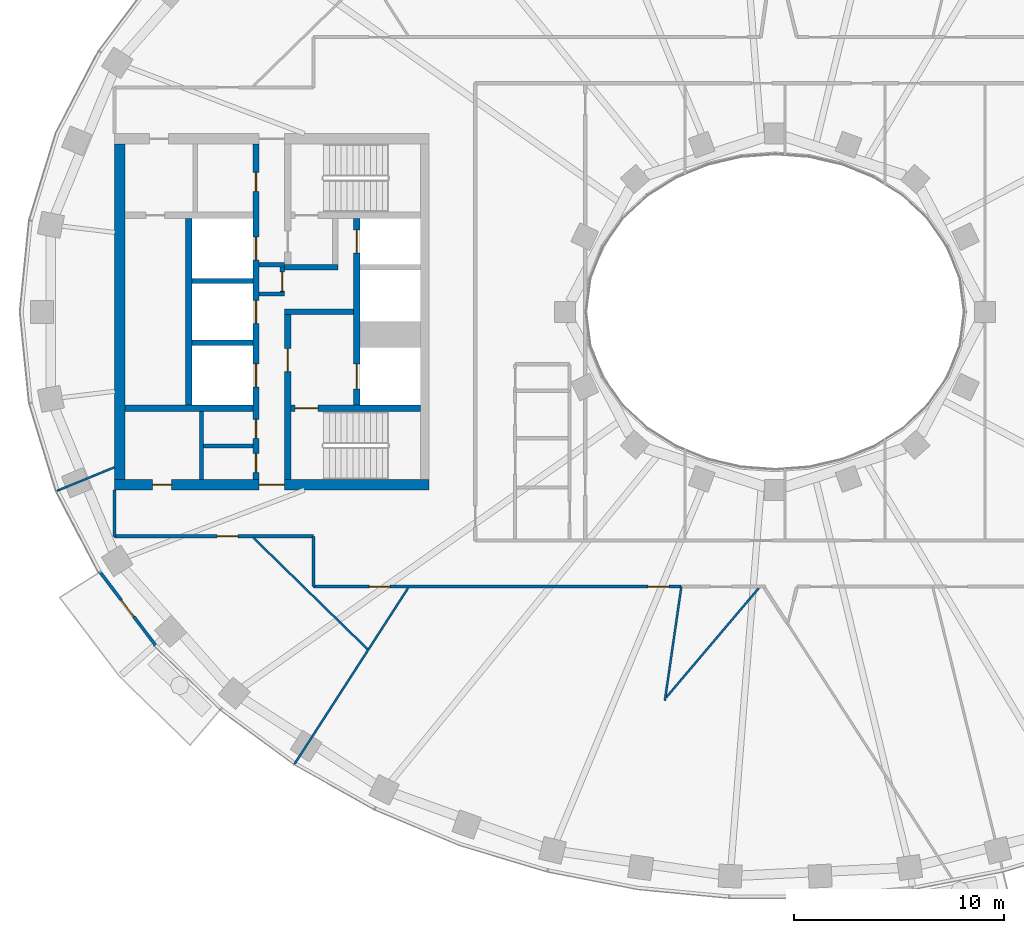
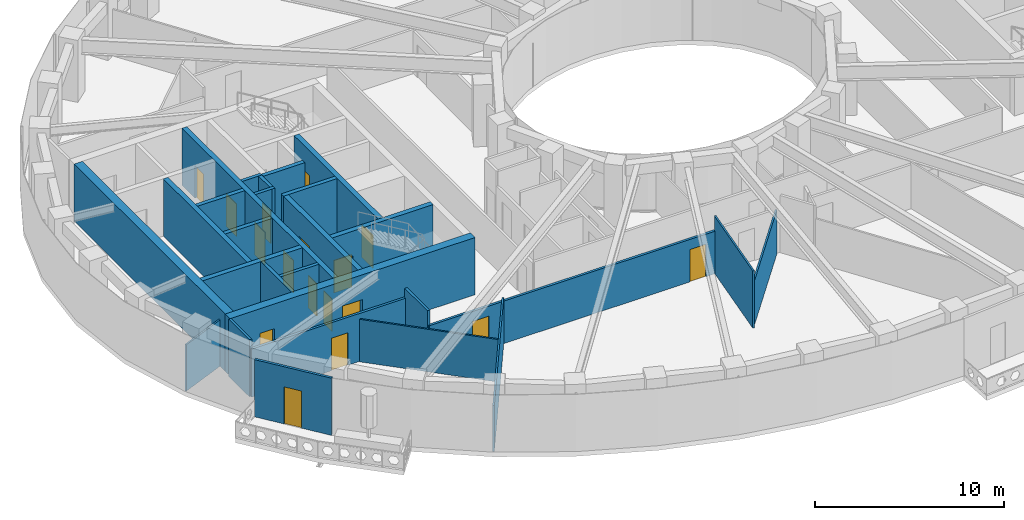
# One storey, part 3 of 16: 27 walls, 17 doors, 17 openings.
"""IFC4 building model written with IfcOpenShell, lengths in metres."""

from ifc_helpers import new_model, si_unit, direction, frame, frame_2d, origin, place, context, subcontext, project, spatial, rectangle, extrude, material, layer, layer_set, type_object, element, fill, save


model = new_model("IFC4")

# Units and contexts
model_context = context("Model", 3, precision=1e-05, world=origin(), true_north=direction((0.0, 1.0)))
body_context = subcontext(model_context, "Body", "Model", "MODEL_VIEW")
ifc_project = project(units=[si_unit("LENGTHUNIT", "METRE"), si_unit("AREAUNIT", "SQUARE_METRE"), si_unit("VOLUMEUNIT", "CUBIC_METRE"), si_unit("PLANEANGLEUNIT", "RADIAN"), si_unit("MASSUNIT", "GRAM", prefix="KILO")], contexts=[model_context])

# Site, building, storey
site_placement = place(None, origin())
site = spatial("IfcSite", under=ifc_project, at=site_placement, CompositionType="ELEMENT")
building_placement = place(site_placement, origin())
building = spatial("IfcBuilding", under=site, at=building_placement, Name="Noorbagh Ring Tower", CompositionType="ELEMENT")
storey_placement = place(building_placement, frame((0.0, 0.0, 257.5)))
storey = spatial("IfcBuildingStorey", under=building, at=storey_placement, Name="L54", CompositionType="ELEMENT", Elevation=257.5)

# Walls
ifc_material_1 = material(Name="Gypsum board on steel studs", Category="steel")
ifc_layer_1 = layer(ifc_material_1, 0.199951171875)
ifc_layer_set_1 = layer_set([ifc_layer_1], Name="Gypsum board on steel studs")
wall_type_1 = type_object("IfcWallType", Name="CORE-PARTITION-200", PredefinedType="PARTITIONING", material=ifc_layer_set_1)
for number, where, z_axis, x_axis, name in (
    (1, (-23.39990234375, 0.85009765625, 0.0), (0.0, 0.0, 1.0), (-1.0, 0.0, 0.0), "Core partition W"),
    (2, (-23.39990234375, 2.25, 0.0), (0.0, 0.0, 1.0), (-1.0, 0.0, 0.0), "Core partition W"),
):
    element("IfcWall", number, at=place(storey_placement, frame(where, z_axis=z_axis, x_axis=x_axis)), inside=storey, type_object=wall_type_1, Name=name, PredefinedType="PARTITIONING", context=body_context, shape_type="SweptSolid", body=[
        extrude(rectangle(XDim=1.2001953125, YDim=0.199951171875, at=frame_2d((0.60009765625, 0.0))), origin(), (0.0, 0.0, 1.0), 3.699951171875),
    ])

# Wall, opening, door
wall_1_placement = place(storey_placement, frame((-23.5, 0.75, 0.0), z_axis=(0.0, 0.0, 1.0), x_axis=(0.0, 1.0, 0.0)))
wall_1 = element("IfcWall", 3, at=wall_1_placement, inside=storey, type_object=wall_type_1, Name="Core partition W", PredefinedType="PARTITIONING", context=body_context, shape_type="SweptSolid", body=[
    extrude(rectangle(XDim=1.60009765625, YDim=0.199951171875, at=frame_2d((0.800048828125, 0.0))), origin(), (0.0, 0.0, 1.0), 3.699951171875),
])
opening_1_placement = place(wall_1_placement, frame((0.25, 0.0, 0.0)))
opening_1 = element("IfcOpeningElement", 4, at=opening_1_placement, cuts=wall_1, Name="Opening L54-CW17", PredefinedType="OPENING", context=body_context, shape_type="SweptSolid", body=[
    extrude(rectangle(XDim=0.89990234375, YDim=2.10009765625, at=frame_2d((0.449951171875, 1.050048828125))), frame((0.0, 0.10986328125, 0.0), z_axis=(0.0, -1.0, 0.0), x_axis=(1.0, 0.0, 0.0)), (0.0, 0.0, 1.0), 0.219970703125),
])
ifc_material_2 = material(Name="Steel door leaf", Category="steel")
door_type_1 = type_object("IfcDoorType", Name="CORE-DOOR-DROOM", OperationType="SINGLE_SWING_LEFT", PredefinedType="DOOR", material=ifc_material_2)
door_1_placement = place(opening_1_placement, origin())
door_1 = element("IfcDoor", 5, at=door_1_placement, inside=storey, type_object=door_type_1, Name="Core room door L54-CW17", OperationType="SINGLE_SWING_RIGHT", OverallHeight=2.10009765625, OverallWidth=0.89990234375, PredefinedType="DOOR", context=body_context, shape_type="SweptSolid", body=[
    extrude(rectangle(XDim=0.89990234375, YDim=2.10009765625, at=frame_2d((0.449951171875, 1.050048828125))), frame((0.0, 0.02490234375, 0.0), z_axis=(0.0, -1.0, 0.0), x_axis=(1.0, 0.0, 0.0)), (0.0, 0.0, 1.0), 0.050048828125),
])
fill(opening_1, door_1)

# Walls
wall_2_placement = place(storey_placement, frame((-27.35009765625, -8.0, 0.0), z_axis=(0.0, 0.0, 1.0), x_axis=(0.0, 1.0, 0.0)))
element("IfcWall", 6, at=wall_2_placement, inside=storey, type_object=wall_type_1, Name="Core partition W", PredefinedType="PARTITIONING", context=body_context, shape_type="SweptSolid", body=[
    extrude(rectangle(XDim=3.25, YDim=0.199951171875, at=frame_2d((1.625, 0.0))), origin(), (0.0, 0.0, 1.0), 3.699951171875),
])
wall_3_placement = place(storey_placement, frame((-24.89990234375, -6.39990234375, 0.0), z_axis=(0.0, 0.0, 1.0), x_axis=(-1.0, 0.0, 0.0)))
element("IfcWall", 7, at=wall_3_placement, inside=storey, type_object=wall_type_1, Name="Core partition W", PredefinedType="PARTITIONING", context=body_context, shape_type="SweptSolid", body=[
    extrude(rectangle(XDim=2.35009765625, YDim=0.199951171875, at=frame_2d((1.175048828125, 0.0))), origin(), (0.0, 0.0, 1.0), 3.699951171875),
])
ifc_material_3 = material(Name="Concrete C60/75", Category="concrete")
ifc_layer_2 = layer(ifc_material_3, 0.25)
ifc_layer_set_2 = layer_set([ifc_layer_2], Name="Concrete C60/75")
wall_type_2 = type_object("IfcWallType", Name="CORE-WALL-250-C60-75-EI120", PredefinedType="SHEAR", material=ifc_layer_set_2)
for number, where, z_axis, x_axis, name in (
    (8, (-24.89990234375, -1.47509765625, 0.0), (0.0, 0.0, 1.0), (-1.0, 0.0, 0.0), "Core wall W"),
    (9, (-24.89990234375, 1.47509765625, 0.0), (0.0, 0.0, 1.0), (-1.0, 0.0, 0.0), "Core wall W"),
):
    element("IfcWall", number, at=place(storey_placement, frame(where, z_axis=z_axis, x_axis=x_axis)), inside=storey, type_object=wall_type_2, Name=name, PredefinedType="SHEAR", context=body_context, shape_type="SweptSolid", body=[
        extrude(rectangle(XDim=2.900146484375, YDim=0.25, at=frame_2d((1.4501953125, 0.0))), origin(), (0.0, 0.0, 1.0), 3.699951171875),
    ])
ifc_material_4 = material(Name="Concrete C60/75", Category="concrete")
ifc_layer_3 = layer(ifc_material_4, 0.25)
ifc_layer_set_3 = layer_set([ifc_layer_3], Name="Concrete C60/75")
wall_type_3 = type_object("IfcWallType", Name="CORE-WALL-250-C60-75-EI240", PredefinedType="SHEAR", material=ifc_layer_set_3)
wall_4_placement = place(storey_placement, frame((-20.10009765625, 0.0, 0.0), z_axis=(0.0, 0.0, 1.0), x_axis=(-1.0, 0.0, 0.0)))
element("IfcWall", 10, at=wall_4_placement, inside=storey, type_object=wall_type_3, Name="Core wall W", PredefinedType="SHEAR", context=body_context, shape_type="SweptSolid", body=[
    extrude(rectangle(XDim=3.27978515625, YDim=0.25, at=frame_2d((1.639892578125, 0.0))), origin(), (0.0, 0.0, 1.0), 3.699951171875),
])
wall_5_placement = place(storey_placement, frame((-20.85009765625, 2.125, 0.0), z_axis=(0.0, 0.0, 1.0), x_axis=(-1.0, 0.0, 0.0)))
element("IfcWall", 11, at=wall_5_placement, inside=storey, type_object=wall_type_3, Name="Core wall W", PredefinedType="SHEAR", context=body_context, shape_type="SweptSolid", body=[
    extrude(rectangle(XDim=2.52978515625, YDim=0.25, at=frame_2d((1.264892578125, 0.0))), origin(), (0.0, 0.0, 1.0), 3.699951171875),
])
ifc_material_5 = material(Name="Concrete C60/75", Category="concrete")
ifc_layer_4 = layer(ifc_material_5, 0.300048828125)
ifc_layer_set_4 = layer_set([ifc_layer_4], Name="Concrete C60/75")
wall_type_4 = type_object("IfcWallType", Name="CORE-WALL-300-C60-75-EI120", PredefinedType="SHEAR", material=ifc_layer_set_4)
wall_6_placement = place(storey_placement, frame((-27.949951171875, -4.449951171875, 0.0), z_axis=(0.0, 0.0, 1.0), x_axis=(0.0, 1.0, 0.0)))
element("IfcWall", 12, at=wall_6_placement, inside=storey, type_object=wall_type_4, Name="Core wall W", PredefinedType="SHEAR", context=body_context, shape_type="SweptSolid", body=[
    extrude(rectangle(XDim=8.89990234375, YDim=0.300048828125, at=frame_2d((4.449951171875, 0.0))), origin(), (0.0, 0.0, 1.0), 3.699951171875),
])

# Wall, openings, doors
wall_7_placement = place(storey_placement, frame((-19.949951171875, -4.449951171875, 0.0), z_axis=(0.0, 0.0, 1.0), x_axis=(0.0, 1.0, 0.0)))
wall_7 = element("IfcWall", 13, at=wall_7_placement, inside=storey, type_object=wall_type_4, Name="Core wall W", PredefinedType="SHEAR", context=body_context, shape_type="SweptSolid", body=[
    extrude(rectangle(XDim=8.89990234375, YDim=0.300048828125, at=frame_2d((4.449951171875, 0.0))), origin(), (0.0, 0.0, 1.0), 3.699951171875),
])
opening_2_placement = place(wall_7_placement, frame((0.77490234375, 0.0, 0.0)))
opening_2 = element("IfcOpeningElement", 14, at=opening_2_placement, cuts=wall_7, Name="Opening L54-CW01", PredefinedType="OPENING", context=body_context, shape_type="SweptSolid", body=[
    extrude(rectangle(XDim=1.199951171875, YDim=2.10009765625, at=frame_2d((0.60009765625, 1.050048828125))), frame((0.0, 0.16015625, 0.0), z_axis=(0.0, -1.0, 0.0), x_axis=(1.0, 0.0, 0.0)), (0.0, 0.0, 1.0), 0.320068359375),
])
opening_3_placement = place(wall_7_placement, frame((7.25, 0.0, 0.0)))
opening_3 = element("IfcOpeningElement", 15, at=opening_3_placement, cuts=wall_7, Name="Opening L54-CW02", PredefinedType="OPENING", context=body_context, shape_type="SweptSolid", body=[
    extrude(rectangle(XDim=1.10009765625, YDim=2.10009765625, at=frame_2d((0.550048828125, 1.050048828125))), frame((0.0, 0.16015625, 0.0), z_axis=(0.0, -1.0, 0.0), x_axis=(1.0, 0.0, 0.0)), (0.0, 0.0, 1.0), 0.320068359375),
])
ifc_material_6 = material(Name="Steel door leaf", Category="steel")
door_type_2 = type_object("IfcDoorType", Name="CORE-DOOR-LD", OperationType="DOUBLE_DOOR_SLIDING", PredefinedType="DOOR", material=ifc_material_6)
door_2_placement = place(opening_3_placement, origin())
door_2 = element("IfcDoor", 16, at=door_2_placement, inside=storey, type_object=door_type_2, Name="Landing door HR1 L54-CW02", OperationType="DOUBLE_DOOR_SLIDING", OverallHeight=2.10009765625, OverallWidth=1.10009765625, PredefinedType="DOOR", context=body_context, shape_type="SweptSolid", body=[
    extrude(rectangle(XDim=1.10009765625, YDim=2.10009765625, at=frame_2d((0.550048828125, 1.050048828125))), frame((0.0, 0.02490234375, 0.0), z_axis=(0.0, -1.0, 0.0), x_axis=(1.0, 0.0, 0.0)), (0.0, 0.0, 1.0), 0.050048828125),
])
fill(opening_3, door_2)
ifc_material_7 = material(Name="Steel door leaf", Category="steel")
door_type_3 = type_object("IfcDoorType", Name="CORE-DOOR-LDW", OperationType="DOUBLE_DOOR_SLIDING", PredefinedType="DOOR", material=ifc_material_7)
door_3_placement = place(opening_2_placement, origin())
door_3 = element("IfcDoor", 17, at=door_3_placement, inside=storey, type_object=door_type_3, Name="Landing door FF1 L54-CW01", OperationType="DOUBLE_DOOR_SLIDING", OverallHeight=2.10009765625, OverallWidth=1.199951171875, PredefinedType="DOOR", context=body_context, shape_type="SweptSolid", body=[
    extrude(rectangle(XDim=1.199951171875, YDim=2.10009765625, at=frame_2d((0.60009765625, 1.050048828125))), frame((0.0, 0.02490234375, 0.0), z_axis=(0.0, -1.0, 0.0), x_axis=(1.0, 0.0, 0.0)), (0.0, 0.0, 1.0), 0.050048828125),
])
fill(opening_2, door_3)

wall_8_placement = place(storey_placement, frame((-24.75, -8.0, 0.0), z_axis=(0.0, 0.0, 1.0), x_axis=(0.0, 1.0, 0.0)))
wall_8 = element("IfcWall", 18, at=wall_8_placement, inside=storey, type_object=wall_type_4, Name="Core wall W", PredefinedType="SHEAR", context=body_context, shape_type="SweptSolid", body=[
    extrude(rectangle(XDim=16.0, YDim=0.300048828125, at=frame_2d((8.0, 0.0))), origin(), (0.0, 0.0, 1.0), 3.699951171875),
])
opening_4_placement = place(wall_8_placement, frame((4.425048828125, 0.0, 0.0)))
opening_4 = element("IfcOpeningElement", 19, at=opening_4_placement, cuts=wall_8, Name="Opening L54-CW03", PredefinedType="OPENING", context=body_context, shape_type="SweptSolid", body=[
    extrude(rectangle(XDim=1.10009765625, YDim=2.10009765625, at=frame_2d((0.550048828125, 1.050048828125))), frame((0.0, 0.16015625, 0.0), z_axis=(0.0, -1.0, 0.0), x_axis=(1.0, 0.0, 0.0)), (0.0, 0.0, 1.0), 0.320068359375),
])
opening_5_placement = place(wall_8_placement, frame((7.449951171875, 0.0, 0.0)))
opening_5 = element("IfcOpeningElement", 20, at=opening_5_placement, cuts=wall_8, Name="Opening L54-CW04", PredefinedType="OPENING", context=body_context, shape_type="SweptSolid", body=[
    extrude(rectangle(XDim=1.10009765625, YDim=2.10009765625, at=frame_2d((0.550048828125, 1.050048828125))), frame((0.0, 0.16015625, 0.0), z_axis=(0.0, -1.0, 0.0), x_axis=(1.0, 0.0, 0.0)), (0.0, 0.0, 1.0), 0.320068359375),
])
opening_6_placement = place(wall_8_placement, frame((10.47509765625, 0.0, 0.0)))
opening_6 = element("IfcOpeningElement", 21, at=opening_6_placement, cuts=wall_8, Name="Opening L54-CW05", PredefinedType="OPENING", context=body_context, shape_type="SweptSolid", body=[
    extrude(rectangle(XDim=1.10009765625, YDim=2.10009765625, at=frame_2d((0.550048828125, 1.050048828125))), frame((0.0, 0.16015625, 0.0), z_axis=(0.0, -1.0, 0.0), x_axis=(1.0, 0.0, 0.0)), (0.0, 0.0, 1.0), 0.320068359375),
])
opening_7_placement = place(wall_8_placement, frame((13.75, 0.0, 0.0)))
opening_7 = element("IfcOpeningElement", 22, at=opening_7_placement, cuts=wall_8, Name="Opening L54-CW12", PredefinedType="OPENING", context=body_context, shape_type="SweptSolid", body=[
    extrude(rectangle(XDim=0.89990234375, YDim=2.10009765625, at=frame_2d((0.449951171875, 1.050048828125))), frame((0.0, 0.16015625, 0.0), z_axis=(0.0, -1.0, 0.0), x_axis=(1.0, 0.0, 0.0)), (0.0, 0.0, 1.0), 0.320068359375),
])
opening_8_placement = place(wall_8_placement, frame((1.97509765625, 0.0, 0.0)))
opening_8 = element("IfcOpeningElement", 23, at=opening_8_placement, cuts=wall_8, Name="Opening L54-CW14", PredefinedType="OPENING", context=body_context, shape_type="SweptSolid", body=[
    extrude(rectangle(XDim=0.89990234375, YDim=2.10009765625, at=frame_2d((0.449951171875, 1.050048828125))), frame((0.0, 0.16015625, 0.0), z_axis=(0.0, -1.0, 0.0), x_axis=(1.0, 0.0, 0.0)), (0.0, 0.0, 1.0), 0.320068359375),
])
opening_9_placement = place(wall_8_placement, frame((0.35009765625, 0.0, 0.0)))
opening_9 = element("IfcOpeningElement", 24, at=opening_9_placement, cuts=wall_8, Name="Opening L54-CW15", PredefinedType="OPENING", context=body_context, shape_type="SweptSolid", body=[
    extrude(rectangle(XDim=0.89990234375, YDim=2.10009765625, at=frame_2d((0.449951171875, 1.050048828125))), frame((0.0, 0.16015625, 0.0), z_axis=(0.0, -1.0, 0.0), x_axis=(1.0, 0.0, 0.0)), (0.0, 0.0, 1.0), 0.320068359375),
])
door_4_placement = place(opening_7_placement, origin())
door_4 = element("IfcDoor", 25, at=door_4_placement, inside=storey, type_object=door_type_1, Name="Core room door L54-CW12", OperationType="SINGLE_SWING_RIGHT", OverallHeight=2.10009765625, OverallWidth=0.89990234375, PredefinedType="DOOR", context=body_context, shape_type="SweptSolid", body=[
    extrude(rectangle(XDim=0.89990234375, YDim=2.10009765625, at=frame_2d((0.449951171875, 1.050048828125))), frame((0.0, 0.02490234375, 0.0), z_axis=(0.0, -1.0, 0.0), x_axis=(1.0, 0.0, 0.0)), (0.0, 0.0, 1.0), 0.050048828125),
])
fill(opening_7, door_4)
door_5_placement = place(opening_8_placement, origin())
door_5 = element("IfcDoor", 26, at=door_5_placement, inside=storey, type_object=door_type_1, Name="Core room door L54-CW14", OperationType="SINGLE_SWING_RIGHT", OverallHeight=2.10009765625, OverallWidth=0.89990234375, PredefinedType="DOOR", context=body_context, shape_type="SweptSolid", body=[
    extrude(rectangle(XDim=0.89990234375, YDim=2.10009765625, at=frame_2d((0.449951171875, 1.050048828125))), frame((0.0, 0.02490234375, 0.0), z_axis=(0.0, -1.0, 0.0), x_axis=(1.0, 0.0, 0.0)), (0.0, 0.0, 1.0), 0.050048828125),
])
fill(opening_8, door_5)
door_6_placement = place(opening_9_placement, origin())
door_6 = element("IfcDoor", 27, at=door_6_placement, inside=storey, type_object=door_type_1, Name="Core room door L54-CW15", OperationType="SINGLE_SWING_LEFT", OverallHeight=2.10009765625, OverallWidth=0.89990234375, PredefinedType="DOOR", context=body_context, shape_type="SweptSolid", body=[
    extrude(rectangle(XDim=0.89990234375, YDim=2.10009765625, at=frame_2d((0.449951171875, 1.050048828125))), frame((0.0, 0.02490234375, 0.0), z_axis=(0.0, -1.0, 0.0), x_axis=(1.0, 0.0, 0.0)), (0.0, 0.0, 1.0), 0.050048828125),
])
fill(opening_9, door_6)
door_7_placement = place(opening_4_placement, origin())
door_7 = element("IfcDoor", 28, at=door_7_placement, inside=storey, type_object=door_type_2, Name="Landing door HR2 L54-CW03", OperationType="DOUBLE_DOOR_SLIDING", OverallHeight=2.10009765625, OverallWidth=1.10009765625, PredefinedType="DOOR", context=body_context, shape_type="SweptSolid", body=[
    extrude(rectangle(XDim=1.10009765625, YDim=2.10009765625, at=frame_2d((0.550048828125, 1.050048828125))), frame((0.0, 0.02490234375, 0.0), z_axis=(0.0, -1.0, 0.0), x_axis=(1.0, 0.0, 0.0)), (0.0, 0.0, 1.0), 0.050048828125),
])
fill(opening_4, door_7)
door_8_placement = place(opening_5_placement, origin())
door_8 = element("IfcDoor", 29, at=door_8_placement, inside=storey, type_object=door_type_2, Name="Landing door HR3 L54-CW04", OperationType="DOUBLE_DOOR_SLIDING", OverallHeight=2.10009765625, OverallWidth=1.10009765625, PredefinedType="DOOR", context=body_context, shape_type="SweptSolid", body=[
    extrude(rectangle(XDim=1.10009765625, YDim=2.10009765625, at=frame_2d((0.550048828125, 1.050048828125))), frame((0.0, 0.02490234375, 0.0), z_axis=(0.0, -1.0, 0.0), x_axis=(1.0, 0.0, 0.0)), (0.0, 0.0, 1.0), 0.050048828125),
])
fill(opening_5, door_8)
door_9_placement = place(opening_6_placement, origin())
door_9 = element("IfcDoor", 30, at=door_9_placement, inside=storey, type_object=door_type_2, Name="Landing door HR4 L54-CW05", OperationType="DOUBLE_DOOR_SLIDING", OverallHeight=2.10009765625, OverallWidth=1.10009765625, PredefinedType="DOOR", context=body_context, shape_type="SweptSolid", body=[
    extrude(rectangle(XDim=1.10009765625, YDim=2.10009765625, at=frame_2d((0.550048828125, 1.050048828125))), frame((0.0, 0.02490234375, 0.0), z_axis=(0.0, -1.0, 0.0), x_axis=(1.0, 0.0, 0.0)), (0.0, 0.0, 1.0), 0.050048828125),
])
fill(opening_6, door_9)

# Wall
ifc_material_8 = material(Name="Concrete C60/75", Category="concrete")
ifc_layer_5 = layer(ifc_material_8, 0.300048828125)
ifc_layer_set_5 = layer_set([ifc_layer_5], Name="Concrete C60/75")
wall_type_5 = type_object("IfcWallType", Name="CORE-WALL-300-C60-75-EI240", PredefinedType="SHEAR", material=ifc_layer_set_5)
wall_9_placement = place(storey_placement, frame((-24.89990234375, -4.60009765625, 0.0), z_axis=(0.0, 0.0, 1.0), x_axis=(-1.0, 0.0, 0.0)))
element("IfcWall", 31, at=wall_9_placement, inside=storey, type_object=wall_type_5, Name="Core wall W", PredefinedType="SHEAR", context=body_context, shape_type="SweptSolid", body=[
    extrude(rectangle(XDim=6.10009765625, YDim=0.300048828125, at=frame_2d((3.050048828125, 0.0))), origin(), (0.0, 0.0, 1.0), 3.699951171875),
])

# Wall, opening, door
wall_10_placement = place(storey_placement, frame((-23.22998046875, -8.0, 0.0), z_axis=(0.0, 0.0, 1.0), x_axis=(0.0, 1.0, 0.0)))
wall_10 = element("IfcWall", 32, at=wall_10_placement, inside=storey, type_object=wall_type_5, Name="Core wall W", PredefinedType="SHEAR", context=body_context, shape_type="SweptSolid", body=[
    extrude(rectangle(XDim=7.875, YDim=0.300048828125, at=frame_2d((3.9375, 0.0))), origin(), (0.0, 0.0, 1.0), 3.699951171875),
])
opening_10_placement = place(wall_10_placement, frame((5.14990234375, 0.0, 0.0)))
opening_10 = element("IfcOpeningElement", 33, at=opening_10_placement, cuts=wall_10, Name="Opening L54-CW08", PredefinedType="OPENING", context=body_context, shape_type="SweptSolid", body=[
    extrude(rectangle(XDim=1.10009765625, YDim=2.10009765625, at=frame_2d((0.550048828125, 1.050048828125))), frame((0.0, 0.16015625, 0.0), z_axis=(0.0, -1.0, 0.0), x_axis=(1.0, 0.0, 0.0)), (0.0, 0.0, 1.0), 0.320068359375),
])
ifc_material_9 = material(Name="Steel door leaf", Category="steel")
door_type_4 = type_object("IfcDoorType", Name="CORE-DOOR-DFF", OperationType="SINGLE_SWING_LEFT", PredefinedType="DOOR", material=ifc_material_9)
door_10_placement = place(opening_10_placement, origin())
door_10 = element("IfcDoor", 34, at=door_10_placement, inside=storey, type_object=door_type_4, Name="Firefighting lobby door L54-CW08", OperationType="SINGLE_SWING_LEFT", OverallHeight=2.10009765625, OverallWidth=1.10009765625, PredefinedType="DOOR", context=body_context, shape_type="SweptSolid", body=[
    extrude(rectangle(XDim=1.10009765625, YDim=2.10009765625, at=frame_2d((0.550048828125, 1.050048828125))), frame((0.0, 0.02490234375, 0.0), z_axis=(0.0, -1.0, 0.0), x_axis=(1.0, 0.0, 0.0)), (0.0, 0.0, 1.0), 0.050048828125),
])
fill(opening_10, door_10)

wall_11_placement = place(storey_placement, frame((-16.89990234375, -4.60009765625, 0.0), z_axis=(0.0, 0.0, 1.0), x_axis=(-1.0, 0.0, 0.0)))
wall_11 = element("IfcWall", 35, at=wall_11_placement, inside=storey, type_object=wall_type_5, Name="Core wall W", PredefinedType="SHEAR", context=body_context, shape_type="SweptSolid", body=[
    extrude(rectangle(XDim=6.18017578125, YDim=0.300048828125, at=frame_2d((3.090087890625, 0.0))), origin(), (0.0, 0.0, 1.0), 3.699951171875),
])
opening_11_placement = place(wall_11_placement, frame((4.89990234375, 0.0, 0.0)))
opening_11 = element("IfcOpeningElement", 36, at=opening_11_placement, cuts=wall_11, Name="Opening L54-CW07", PredefinedType="OPENING", context=body_context, shape_type="SweptSolid", body=[
    extrude(rectangle(XDim=1.10009765625, YDim=2.10009765625, at=frame_2d((0.550048828125, 1.050048828125))), frame((0.0, 0.16015625, 0.0), z_axis=(0.0, -1.0, 0.0), x_axis=(1.0, 0.0, 0.0)), (0.0, 0.0, 1.0), 0.320068359375),
])
ifc_material_10 = material(Name="Steel door leaf", Category="steel")
door_type_5 = type_object("IfcDoorType", Name="CORE-DOOR-DSTAIR", OperationType="SINGLE_SWING_LEFT", PredefinedType="DOOR", material=ifc_material_10)
door_11_placement = place(opening_11_placement, origin())
door_11 = element("IfcDoor", 37, at=door_11_placement, inside=storey, type_object=door_type_5, Name="Stair door ST2 L54-CW07", OperationType="SINGLE_SWING_LEFT", OverallHeight=2.10009765625, OverallWidth=1.10009765625, PredefinedType="DOOR", context=body_context, shape_type="SweptSolid", body=[
    extrude(rectangle(XDim=1.10009765625, YDim=2.10009765625, at=frame_2d((0.550048828125, 1.050048828125))), frame((0.0, 0.02490234375, 0.0), z_axis=(0.0, -1.0, 0.0), x_axis=(1.0, 0.0, 0.0)), (0.0, 0.0, 1.0), 0.050048828125),
])
fill(opening_11, door_11)

# Wall, openings, doors
ifc_material_11 = material(Name="Concrete C60/75", Category="concrete")
ifc_layer_6 = layer(ifc_material_11, 0.5)
ifc_layer_set_6 = layer_set([ifc_layer_6], Name="Concrete C60/75")
wall_type_6 = type_object("IfcWallType", Name="CORE-WALL-500-C60-75-EI240", PredefinedType="SHEAR", material=ifc_layer_set_6)
wall_12_placement = place(storey_placement, frame((-16.5, -8.25, 0.0), z_axis=(0.0, 0.0, 1.0), x_axis=(-1.0, 0.0, 0.0)))
wall_12 = element("IfcWall", 38, at=wall_12_placement, inside=storey, type_object=wall_type_6, Name="Core wall W", PredefinedType="SHEAR", context=body_context, shape_type="SweptSolid", body=[
    extrude(rectangle(XDim=15.0, YDim=0.5, at=frame_2d((7.5, 0.0))), origin(), (0.0, 0.0, 1.0), 3.699951171875),
])
opening_12_placement = place(wall_12_placement, frame((6.89990234375, 0.0, 0.0)))
opening_12 = element("IfcOpeningElement", 39, at=opening_12_placement, cuts=wall_12, Name="Opening L54-CW11", PredefinedType="OPENING", context=body_context, shape_type="SweptSolid", body=[
    extrude(rectangle(XDim=1.199951171875, YDim=2.10009765625, at=frame_2d((0.60009765625, 1.050048828125))), frame((0.0, 0.260009765625, 0.0), z_axis=(0.0, -1.0, 0.0), x_axis=(1.0, 0.0, 0.0)), (0.0, 0.0, 1.0), 0.52001953125),
])
opening_13_placement = place(wall_12_placement, frame((12.27490234375, 0.0, 0.0)))
opening_13 = element("IfcOpeningElement", 40, at=opening_13_placement, cuts=wall_12, Name="Opening L54-CW16", PredefinedType="OPENING", context=body_context, shape_type="SweptSolid", body=[
    extrude(rectangle(XDim=0.89990234375, YDim=2.10009765625, at=frame_2d((0.449951171875, 1.050048828125))), frame((0.0, 0.260009765625, 0.0), z_axis=(0.0, -1.0, 0.0), x_axis=(1.0, 0.0, 0.0)), (0.0, 0.0, 1.0), 0.52001953125),
])
door_12_placement = place(opening_13_placement, origin())
door_12 = element("IfcDoor", 41, at=door_12_placement, inside=storey, type_object=door_type_1, Name="Core room door L54-CW16", OperationType="SINGLE_SWING_LEFT", OverallHeight=2.10009765625, OverallWidth=0.89990234375, PredefinedType="DOOR", context=body_context, shape_type="SweptSolid", body=[
    extrude(rectangle(XDim=0.89990234375, YDim=2.10009765625, at=frame_2d((0.449951171875, 1.050048828125))), frame((0.0, 0.02490234375, 0.0), z_axis=(0.0, -1.0, 0.0), x_axis=(1.0, 0.0, 0.0)), (0.0, 0.0, 1.0), 0.050048828125),
])
fill(opening_13, door_12)
ifc_material_12 = material(Name="Steel door leaf", Category="steel")
door_type_6 = type_object("IfcDoorType", Name="CORE-DOOR-PORT", OperationType="DOUBLE_DOOR_DOUBLE_SWING", PredefinedType="DOOR", material=ifc_material_12)
door_13_placement = place(opening_12_placement, origin())
door_13 = element("IfcDoor", 42, at=door_13_placement, inside=storey, type_object=door_type_6, Name="Core entrance door L54-CW11", OperationType="DOUBLE_DOOR_DOUBLE_SWING", OverallHeight=2.10009765625, OverallWidth=1.199951171875, PredefinedType="DOOR", context=body_context, shape_type="SweptSolid", body=[
    extrude(rectangle(XDim=1.199951171875, YDim=2.10009765625, at=frame_2d((0.60009765625, 1.050048828125))), frame((0.0, 0.02490234375, 0.0), z_axis=(0.0, -1.0, 0.0), x_axis=(1.0, 0.0, 0.0)), (0.0, 0.0, 1.0), 0.050048828125),
])
fill(opening_12, door_13)

# Walls
wall_13_placement = place(storey_placement, frame((-31.25, -8.0, 0.0), z_axis=(0.0, 0.0, 1.0), x_axis=(0.0, 1.0, 0.0)))
element("IfcWall", 43, at=wall_13_placement, inside=storey, type_object=wall_type_6, Name="Core wall W", PredefinedType="SHEAR", context=body_context, shape_type="SweptSolid", body=[
    extrude(rectangle(XDim=16.0, YDim=0.5, at=frame_2d((8.0, 0.0))), origin(), (0.0, 0.0, 1.0), 3.699951171875),
])
ifc_material_13 = material(Name="Gypsum board on steel studs", Category="steel")
ifc_layer_7 = layer(ifc_material_13, 0.14990234375)
ifc_layer_set_7 = layer_set([ifc_layer_7], Name="Gypsum board on steel studs")
wall_type_7 = type_object("IfcWallType", Name="CORRIDOR PARTITION 150 EI 30", PredefinedType="PARTITIONING", material=ifc_layer_set_7)
wall_14_placement = place(storey_placement, frame((-31.5, -10.699951171875, 0.0), z_axis=(0.0, 0.0, 1.0), x_axis=(0.0, 1.0, 0.0)))
element("IfcWall", 44, at=wall_14_placement, inside=storey, type_object=wall_type_7, Name="L54/wall/P02", PredefinedType="PARTITIONING", context=body_context, shape_type="SweptSolid", body=[
    extrude(rectangle(XDim=2.199951171875, YDim=0.14990234375, at=frame_2d((1.10009765625, 0.0))), origin(), (0.0, 0.0, 1.0), 3.699951171875),
])

# Wall, opening, door
wall_15_placement = place(storey_placement, frame((-31.5, -10.699951171875, 0.0), z_axis=(0.0, 0.0, 1.0), x_axis=(1.0, 0.0, 0.0)))
wall_15 = element("IfcWall", 45, at=wall_15_placement, inside=storey, type_object=wall_type_7, Name="L54/wall/P03", PredefinedType="PARTITIONING", context=body_context, shape_type="SweptSolid", body=[
    extrude(rectangle(XDim=9.5, YDim=0.14990234375, at=frame_2d((4.75, 0.0))), origin(), (0.0, 0.0, 1.0), 3.10009765625),
])
opening_14_placement = place(wall_15_placement, frame((4.89990234375, 0.0, 0.0)))
opening_14 = element("IfcOpeningElement", 46, at=opening_14_placement, cuts=wall_15, Name="Opening D1", PredefinedType="OPENING", context=body_context, shape_type="SweptSolid", body=[
    extrude(rectangle(XDim=1.0, YDim=2.10009765625, at=frame_2d((0.5, 1.050048828125))), frame((0.0, 0.0849609375, 0.0), z_axis=(0.0, -1.0, 0.0), x_axis=(1.0, 0.0, 0.0)), (0.0, 0.0, 1.0), 0.169921875),
])
ifc_material_14 = material(Name="Timber, painted", Category="wood")
door_type_7 = type_object("IfcDoorType", Name="DOOR 1000 X 2100 FD30", OperationType="SINGLE_SWING_LEFT", PredefinedType="DOOR", material=ifc_material_14)
door_14_placement = place(opening_14_placement, origin())
door_14 = element("IfcDoor", 47, at=door_14_placement, inside=storey, type_object=door_type_7, Name="L54-D06", OperationType="SINGLE_SWING_RIGHT", OverallHeight=2.10009765625, OverallWidth=1.0, PredefinedType="DOOR", context=body_context, shape_type="SweptSolid", body=[
    extrude(rectangle(XDim=1.0, YDim=2.10009765625, at=frame_2d((0.5, 1.050048828125))), frame((0.0, 0.02490234375, 0.0), z_axis=(0.0, -1.0, 0.0), x_axis=(1.0, 0.0, 0.0)), (0.0, 0.0, 1.0), 0.050048828125),
])
fill(opening_14, door_14)

# Wall
wall_16_placement = place(storey_placement, frame((-22.0, -13.10009765625, 0.0), z_axis=(0.0, 0.0, 1.0), x_axis=(0.0, 1.0, 0.0)))
element("IfcWall", 48, at=wall_16_placement, inside=storey, type_object=wall_type_7, Name="L54/wall/P10", PredefinedType="PARTITIONING", context=body_context, shape_type="SweptSolid", body=[
    extrude(rectangle(XDim=2.400146484375, YDim=0.14990234375, at=frame_2d((1.2001953125, 0.0))), origin(), (0.0, 0.0, 1.0), 3.699951171875),
])

# Wall, openings, doors
wall_17_placement = place(storey_placement, frame((-22.0, -13.10009765625, 0.0), z_axis=(0.0, 0.0, 1.0), x_axis=(1.0, 0.0, 0.0)))
wall_17 = element("IfcWall", 49, at=wall_17_placement, inside=storey, type_object=wall_type_7, Name="L54/wall/P11", PredefinedType="PARTITIONING", context=body_context, shape_type="SweptSolid", body=[
    extrude(rectangle(XDim=17.507080078125, YDim=0.14990234375, at=frame_2d((8.75341796875, 0.0))), origin(), (0.0, 0.0, 1.0), 2.75),
])
opening_15_placement = place(wall_17_placement, frame((2.64990234375, 0.0, 0.0)))
opening_15 = element("IfcOpeningElement", 50, at=opening_15_placement, cuts=wall_17, Name="Opening D1", PredefinedType="OPENING", context=body_context, shape_type="SweptSolid", body=[
    extrude(rectangle(XDim=1.0, YDim=2.10009765625, at=frame_2d((0.5, 1.050048828125))), frame((0.0, 0.0849609375, 0.0), z_axis=(0.0, -1.0, 0.0), x_axis=(1.0, 0.0, 0.0)), (0.0, 0.0, 1.0), 0.169921875),
])
opening_16_placement = place(wall_17_placement, frame((15.93603515625, 0.0, 0.0)))
opening_16 = element("IfcOpeningElement", 51, at=opening_16_placement, cuts=wall_17, Name="Opening D1", PredefinedType="OPENING", context=body_context, shape_type="SweptSolid", body=[
    extrude(rectangle(XDim=1.0, YDim=2.10009765625, at=frame_2d((0.5, 1.050048828125))), frame((0.0, 0.0849609375, 0.0), z_axis=(0.0, -1.0, 0.0), x_axis=(1.0, 0.0, 0.0)), (0.0, 0.0, 1.0), 0.169921875),
])
door_15_placement = place(opening_15_placement, origin())
door_15 = element("IfcDoor", 52, at=door_15_placement, inside=storey, type_object=door_type_7, Name="L54-D08", OperationType="SINGLE_SWING_RIGHT", OverallHeight=2.10009765625, OverallWidth=1.0, PredefinedType="DOOR", context=body_context, shape_type="SweptSolid", body=[
    extrude(rectangle(XDim=1.0, YDim=2.10009765625, at=frame_2d((0.5, 1.050048828125))), frame((0.0, 0.02490234375, 0.0), z_axis=(0.0, -1.0, 0.0), x_axis=(1.0, 0.0, 0.0)), (0.0, 0.0, 1.0), 0.050048828125),
])
fill(opening_15, door_15)
door_16_placement = place(opening_16_placement, origin())
door_16 = element("IfcDoor", 53, at=door_16_placement, inside=storey, type_object=door_type_7, Name="L54-D10", OperationType="SINGLE_SWING_RIGHT", OverallHeight=2.10009765625, OverallWidth=1.0, PredefinedType="DOOR", context=body_context, shape_type="SweptSolid", body=[
    extrude(rectangle(XDim=1.0, YDim=2.10009765625, at=frame_2d((0.5, 1.050048828125))), frame((0.0, 0.02490234375, 0.0), z_axis=(0.0, -1.0, 0.0), x_axis=(1.0, 0.0, 0.0)), (0.0, 0.0, 1.0), 0.050048828125),
])
fill(opening_16, door_16)

# Wall, opening, door
ifc_material_15 = material(Name="Insulated aluminium clad panel", Category="aluminium")
ifc_layer_8 = layer(ifc_material_15, 0.14990234375)
ifc_layer_set_8 = layer_set([ifc_layer_8], Name="Insulated aluminium clad panel")
wall_type_8 = type_object("IfcWallType", Name="ENV-WALL-DOOR", PredefinedType="STANDARD", material=ifc_layer_set_8)
wall_18_placement = place(storey_placement, frame((-32.20751953125, -12.37353515625, 0.0), z_axis=(0.0, 0.0, 1.0), x_axis=(0.604045763106, -0.796949632081, 0.0)))
wall_18 = element("IfcWall", 54, at=wall_18_placement, inside=storey, type_object=wall_type_8, Name="Balcony door wall chord 27", PredefinedType="STANDARD", context=body_context, shape_type="SweptSolid", body=[
    extrude(rectangle(XDim=4.42333984375, YDim=0.14990234375, at=frame_2d((2.211669921875, 0.0))), origin(), (0.0, 0.0, 1.0), 3.699951171875),
])
opening_17_placement = place(wall_18_placement, frame((1.711669921875, 0.0, 0.0)))
opening_17 = element("IfcOpeningElement", 55, at=opening_17_placement, cuts=wall_18, Name="Opening D-BL", PredefinedType="OPENING", context=body_context, shape_type="SweptSolid", body=[
    extrude(rectangle(XDim=1.0, YDim=2.39990234375, at=frame_2d((0.5, 1.199951171875))), frame((0.0, 0.0849609375, 0.0), z_axis=(0.0, -1.0, 0.0), x_axis=(1.0, 0.0, 0.0)), (0.0, 0.0, 1.0), 0.169921875),
])
ifc_material_16 = material(Name="Aluminium and glass", Category="aluminium")
door_type_8 = type_object("IfcDoorType", Name="ENV-DOOR-BALCONY", OperationType="SINGLE_SWING_LEFT", PredefinedType="DOOR", material=ifc_material_16)
door_17_placement = place(opening_17_placement, origin())
door_17 = element("IfcDoor", 56, at=door_17_placement, inside=storey, type_object=door_type_8, Name="Balcony door chord 27", OperationType="SINGLE_SWING_LEFT", OverallHeight=2.39990234375, OverallWidth=1.0, PredefinedType="DOOR", context=body_context, shape_type="SweptSolid", body=[
    extrude(rectangle(XDim=1.0, YDim=2.39990234375, at=frame_2d((0.5, 1.199951171875))), frame((0.0, 0.02490234375, 0.0), z_axis=(0.0, -1.0, 0.0), x_axis=(1.0, 0.0, 0.0)), (0.0, 0.0, 1.0), 0.050048828125),
])
fill(opening_17, door_17)

# Walls
ifc_material_17 = material(Name="Gypsum board on steel studs", Category="steel")
ifc_layer_9 = layer(ifc_material_17, 0.10009765625)
ifc_layer_set_9 = layer_set([ifc_layer_9], Name="Gypsum board on steel studs")
wall_type_9 = type_object("IfcWallType", Name="PARTITION 100 GYPSUM", PredefinedType="PARTITIONING", material=ifc_layer_set_9)
wall_19_placement = place(storey_placement, frame((-34.23388671875, -8.530029296875, 0.0), z_axis=(0.0, 0.0, 1.0), x_axis=(0.925344112436, 0.379128307542, 0.0)))
element("IfcWall", 57, at=wall_19_placement, inside=storey, type_object=wall_type_9, Name="L54/wall/P01", PredefinedType="PARTITIONING", context=body_context, shape_type="SweptSolid", body=[
    extrude(rectangle(XDim=2.954345703125, YDim=0.10009765625, at=frame_2d((1.47705078125, 0.0))), origin(), (0.0, 0.0, 1.0), 3.0),
])
wall_20_placement = place(storey_placement, frame((-24.865966796875, -10.778076171875, 0.0), z_axis=(0.0, 0.0, 1.0), x_axis=(0.715632814242, -0.698476681916, 0.0)))
element("IfcWall", 58, at=wall_20_placement, inside=storey, type_object=wall_type_9, Name="L54/wall/P06", PredefinedType="PARTITIONING", context=body_context, shape_type="SweptSolid", body=[
    extrude(rectangle(XDim=7.5849609375, YDim=0.10009765625, at=frame_2d((3.79248046875, 0.0))), origin(), (0.0, 0.0, 1.0), 2.75),
])
wall_21_placement = place(storey_placement, frame((-22.905029296875, -21.5419921875, 0.0), z_axis=(0.0, 0.0, 1.0), x_axis=(0.542277075573, 0.840199722273, 0.0)))
element("IfcWall", 59, at=wall_21_placement, inside=storey, type_object=wall_type_9, Name="L54/wall/P08", PredefinedType="PARTITIONING", context=body_context, shape_type="SweptSolid", body=[
    extrude(rectangle(XDim=9.958251953125, YDim=0.10009765625, at=frame_2d((4.97900390625, 0.0))), origin(), (0.0, 0.0, 1.0), 3.0),
])
wall_22_placement = place(storey_placement, frame((-5.258056640625, -18.532958984375, 0.0), z_axis=(0.0, 0.0, 1.0), x_axis=(0.143033857536, 0.989717795939, 0.0)))
element("IfcWall", 60, at=wall_22_placement, inside=storey, type_object=wall_type_9, Name="L54/wall/P27", PredefinedType="PARTITIONING", context=body_context, shape_type="SweptSolid", body=[
    extrude(rectangle(XDim=5.4892578125, YDim=0.10009765625, at=frame_2d((2.74462890625, 0.0))), origin(), (0.0, 0.0, 1.0), 3.699951171875),
])
wall_23_placement = place(storey_placement, frame((-5.18408203125, -18.367919921875, 0.0), z_axis=(0.0, 0.0, 1.0), x_axis=(0.646387569677, 0.763009246187, 0.0)))
element("IfcWall", 61, at=wall_23_placement, inside=storey, type_object=wall_type_9, Name="L54/wall/P28", PredefinedType="PARTITIONING", context=body_context, shape_type="SweptSolid", body=[
    extrude(rectangle(XDim=6.8056640625, YDim=0.10009765625, at=frame_2d((3.40283203125, 0.0))), origin(), (0.0, 0.0, 1.0), 2.85009765625),
])

save(model, "model.ifc")
